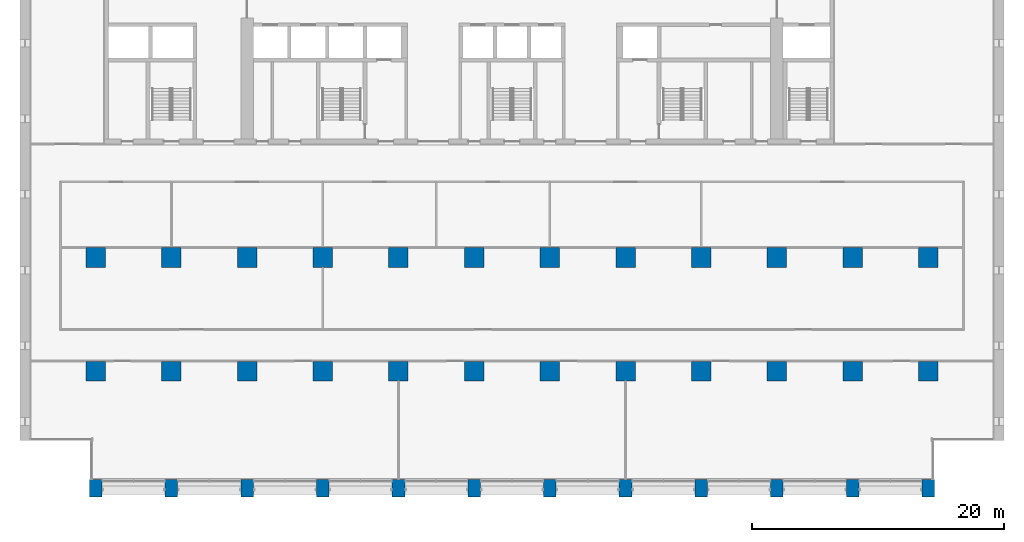
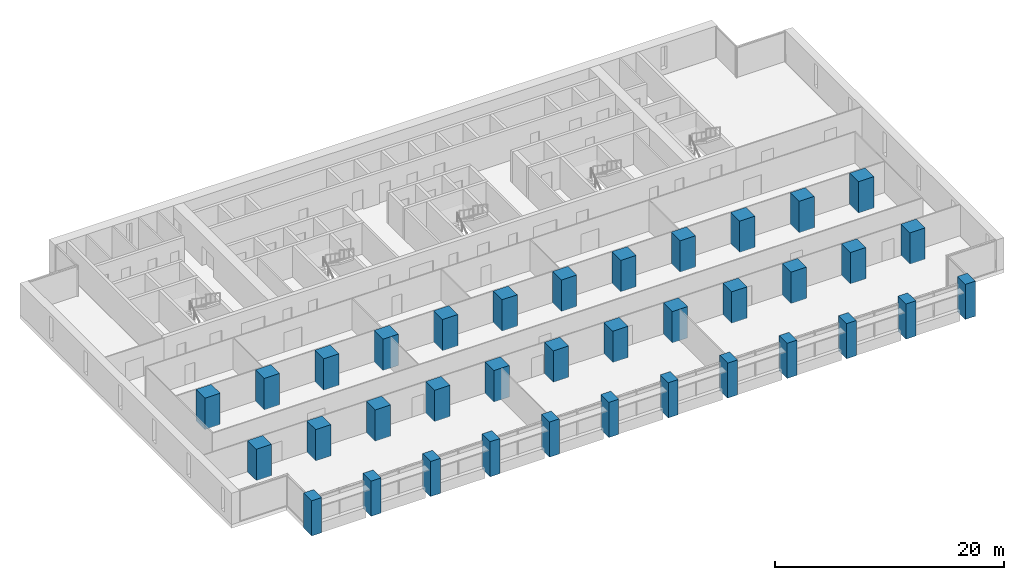
# One storey, part 1 of 17: 36 columns.
"""IFC4 building model written with IfcOpenShell, lengths in metres."""

from ifc_helpers import new_model, si_unit, direction, frame, origin, origin_2d, place, context, subcontext, project, spatial, rectangle, extrude, material, material_profile, profile_set, type_object, element, save


model = new_model("IFC4")

# Units and contexts
model_context = context("Model", 3, precision=1e-05, world=origin(), true_north=direction((0.0, 1.0)))
body_context = subcontext(model_context, "Body", "Model", "MODEL_VIEW")
ifc_project = project(units=[si_unit("LENGTHUNIT", "METRE"), si_unit("AREAUNIT", "SQUARE_METRE"), si_unit("VOLUMEUNIT", "CUBIC_METRE"), si_unit("PLANEANGLEUNIT", "RADIAN"), si_unit("MASSUNIT", "GRAM", prefix="KILO")], contexts=[model_context])

# Site, building, storey
site_placement = place(None, origin())
site = spatial("IfcSite", under=ifc_project, at=site_placement, CompositionType="ELEMENT")
building_placement = place(site_placement, origin())
building = spatial("IfcBuilding", under=site, at=building_placement, Name="Calvaro Tower", CompositionType="ELEMENT")
storey_placement = place(building_placement, frame((0.0, 0.0, 75.0)))
storey = spatial("IfcBuildingStorey", under=building, at=storey_placement, Name="L18", CompositionType="ELEMENT", Elevation=75.0)

# Columns
ifc_material_1 = material(Name="Concrete C80/95", Category="concrete")
ifc_material_profile_1 = material_profile(ifc_material_1, rectangle(XDim=1.550048828125, YDim=1.550048828125, at=origin_2d()), Name="RC 1550x1550")
ifc_profile_set_1 = profile_set([ifc_material_profile_1], Name="Concrete C80/95")
column_type_1 = type_object("IfcColumnType", Name="Column 1550x1550 C80/95", PredefinedType="COLUMN", material=ifc_profile_set_1)
for number, where, z_axis, x_axis, name in (
    (1, (6.0, 10.0, 0.0), (0.0, 0.0, 1.0), (1.0, 0.0, 0.0), "Column 2B"),
    (2, (6.0, 19.0, 0.0), (0.0, 0.0, 1.0), (1.0, 0.0, 0.0), "Column 2C"),
    (3, (12.0, 10.0, 0.0), (0.0, 0.0, 1.0), (1.0, 0.0, 0.0), "Column 3B"),
    (4, (12.0, 19.0, 0.0), (0.0, 0.0, 1.0), (1.0, 0.0, 0.0), "Column 3C"),
    (5, (18.0, 10.0, 0.0), (0.0, 0.0, 1.0), (1.0, 0.0, 0.0), "Column 4B"),
    (6, (18.0, 19.0, 0.0), (0.0, 0.0, 1.0), (1.0, 0.0, 0.0), "Column 4C"),
    (7, (24.0, 10.0, 0.0), (0.0, 0.0, 1.0), (1.0, 0.0, 0.0), "Column 5B"),
    (8, (24.0, 19.0, 0.0), (0.0, 0.0, 1.0), (1.0, 0.0, 0.0), "Column 5C"),
    (9, (30.0, 10.0, 0.0), (0.0, 0.0, 1.0), (1.0, 0.0, 0.0), "Column 6B"),
    (10, (30.0, 19.0, 0.0), (0.0, 0.0, 1.0), (1.0, 0.0, 0.0), "Column 6C"),
    (11, (36.0, 10.0, 0.0), (0.0, 0.0, 1.0), (1.0, 0.0, 0.0), "Column 7B"),
    (12, (36.0, 19.0, 0.0), (0.0, 0.0, 1.0), (1.0, 0.0, 0.0), "Column 7C"),
    (13, (42.0, 10.0, 0.0), (0.0, 0.0, 1.0), (1.0, 0.0, 0.0), "Column 8B"),
    (14, (42.0, 19.0, 0.0), (0.0, 0.0, 1.0), (1.0, 0.0, 0.0), "Column 8C"),
    (15, (48.0, 10.0, 0.0), (0.0, 0.0, 1.0), (1.0, 0.0, 0.0), "Column 9B"),
    (16, (48.0, 19.0, 0.0), (0.0, 0.0, 1.0), (1.0, 0.0, 0.0), "Column 9C"),
    (17, (54.0, 10.0, 0.0), (0.0, 0.0, 1.0), (1.0, 0.0, 0.0), "Column 10B"),
    (18, (54.0, 19.0, 0.0), (0.0, 0.0, 1.0), (1.0, 0.0, 0.0), "Column 10C"),
    (19, (60.0, 10.0, 0.0), (0.0, 0.0, 1.0), (1.0, 0.0, 0.0), "Column 11B"),
    (20, (60.0, 19.0, 0.0), (0.0, 0.0, 1.0), (1.0, 0.0, 0.0), "Column 11C"),
    (21, (66.0, 10.0, 0.0), (0.0, 0.0, 1.0), (1.0, 0.0, 0.0), "Column 12B"),
    (22, (66.0, 19.0, 0.0), (0.0, 0.0, 1.0), (1.0, 0.0, 0.0), "Column 12C"),
    (23, (72.0, 10.0, 0.0), (0.0, 0.0, 1.0), (1.0, 0.0, 0.0), "Column 13B"),
    (24, (72.0, 19.0, 0.0), (0.0, 0.0, 1.0), (1.0, 0.0, 0.0), "Column 13C"),
):
    element("IfcColumn", number, at=place(storey_placement, frame(where, z_axis=z_axis, x_axis=x_axis)), inside=storey, type_object=column_type_1, Name=name, PredefinedType="COLUMN", context=body_context, shape_type="SweptSolid", body=[
        extrude(rectangle(XDim=1.550048828125, YDim=1.550048828125, at=origin_2d()), origin(), (0.0, 0.0, 1.0), 3.35009765625),
    ])
ifc_material_2 = material(Name="Concrete C80/95", Category="concrete")
ifc_material_profile_2 = material_profile(ifc_material_2, rectangle(XDim=1.0, YDim=1.39990234375, at=origin_2d()), Name="RC 1000x1400")
ifc_profile_set_2 = profile_set([ifc_material_profile_2], Name="Concrete C80/95")
column_type_2 = type_object("IfcColumnType", Name="Pier 1000x1400 C80/95", PredefinedType="COLUMN", material=ifc_profile_set_2)
for number, where, z_axis, x_axis, name in (
    (25, (6.0, 0.699951171875, -0.39990234375), (0.0, 0.0, 1.0), (1.0, 0.0, 0.0), "South pier 2"),
    (26, (12.0, 0.699951171875, -0.39990234375), (0.0, 0.0, 1.0), (1.0, 0.0, 0.0), "South pier 3"),
    (27, (18.0, 0.699951171875, -0.39990234375), (0.0, 0.0, 1.0), (1.0, 0.0, 0.0), "South pier 4"),
    (28, (24.0, 0.699951171875, -0.39990234375), (0.0, 0.0, 1.0), (1.0, 0.0, 0.0), "South pier 5"),
    (29, (30.0, 0.699951171875, -0.39990234375), (0.0, 0.0, 1.0), (1.0, 0.0, 0.0), "South pier 6"),
    (30, (36.0, 0.699951171875, -0.39990234375), (0.0, 0.0, 1.0), (1.0, 0.0, 0.0), "South pier 7"),
    (31, (42.0, 0.699951171875, -0.39990234375), (0.0, 0.0, 1.0), (1.0, 0.0, 0.0), "South pier 8"),
    (32, (48.0, 0.699951171875, -0.39990234375), (0.0, 0.0, 1.0), (1.0, 0.0, 0.0), "South pier 9"),
    (33, (54.0, 0.699951171875, -0.39990234375), (0.0, 0.0, 1.0), (1.0, 0.0, 0.0), "South pier 10"),
    (34, (60.0, 0.699951171875, -0.39990234375), (0.0, 0.0, 1.0), (1.0, 0.0, 0.0), "South pier 11"),
    (35, (66.0, 0.699951171875, -0.39990234375), (0.0, 0.0, 1.0), (1.0, 0.0, 0.0), "South pier 12"),
    (36, (72.0, 0.699951171875, -0.39990234375), (0.0, 0.0, 1.0), (1.0, 0.0, 0.0), "South pier 13"),
):
    element("IfcColumn", number, at=place(storey_placement, frame(where, z_axis=z_axis, x_axis=x_axis)), inside=storey, type_object=column_type_2, Name=name, PredefinedType="COLUMN", context=body_context, shape_type="SweptSolid", body=[
        extrude(rectangle(XDim=1.0, YDim=1.39990234375, at=origin_2d()), origin(), (0.0, 0.0, 1.0), 3.75),
    ])

save(model, "model.ifc")
